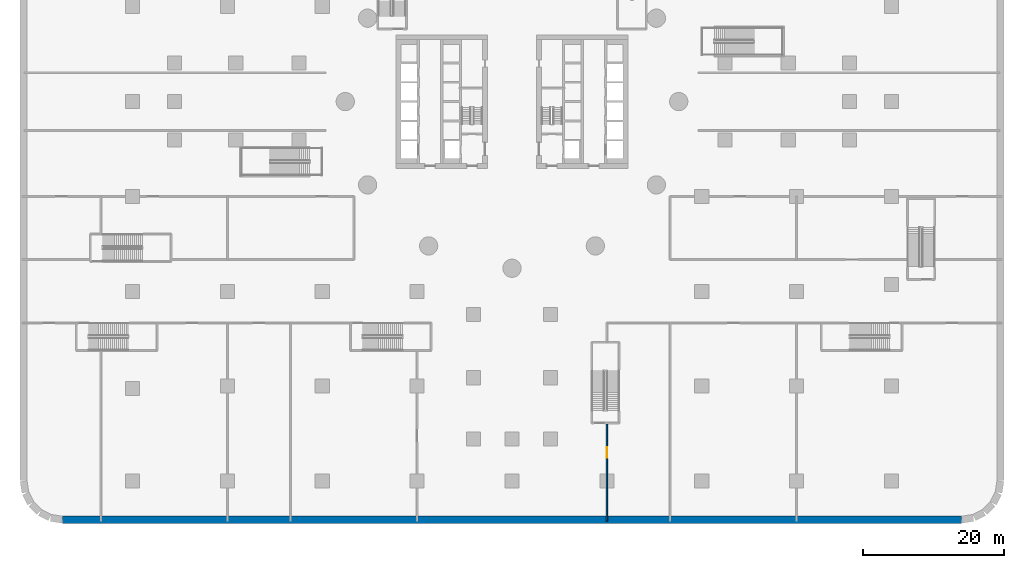
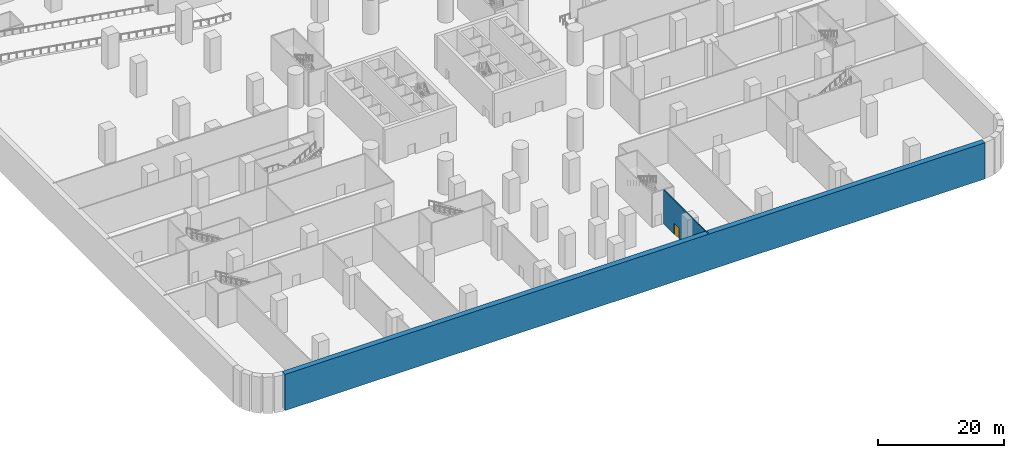
# One storey, part 5 of 30: 2 walls, 1 door, 1 opening.
"""IFC4 building model written with IfcOpenShell, lengths in metres."""

from ifc_helpers import new_model, si_unit, direction, frame, frame_2d, origin, place, context, subcontext, project, spatial, rectangle, extrude, material, layer, layer_set, type_object, element, fill, save


model = new_model("IFC4")

# Units and contexts
model_context = context("Model", 3, precision=1e-05, world=origin(), true_north=direction((0.0, 1.0)))
body_context = subcontext(model_context, "Body", "Model", "MODEL_VIEW")
ifc_project = project(units=[si_unit("LENGTHUNIT", "METRE"), si_unit("AREAUNIT", "SQUARE_METRE"), si_unit("VOLUMEUNIT", "CUBIC_METRE"), si_unit("PLANEANGLEUNIT", "RADIAN"), si_unit("MASSUNIT", "GRAM", prefix="KILO")], contexts=[model_context])

# Site, building, storey
site_placement = place(None, origin())
site = spatial("IfcSite", under=ifc_project, at=site_placement, CompositionType="ELEMENT")
building_placement = place(site_placement, origin())
building = spatial("IfcBuilding", under=site, at=building_placement, Name="Tamarind Cross Interchange Tower", CompositionType="ELEMENT")
storey_placement = place(building_placement, frame((0.0, 0.0, -14.0)))
storey = spatial("IfcBuildingStorey", under=building, at=storey_placement, Name="B2", CompositionType="ELEMENT", Elevation=-14.0)

# Wall
ifc_material_1 = material(Name="Concrete C40", Category="concrete")
ifc_layer_1 = layer(ifc_material_1, 1.0)
ifc_layer_set_1 = layer_set([ifc_layer_1], Name="Concrete C40")
wall_type_1 = type_object("IfcWallType", Name="Basement wall 1000 Concrete C40", PredefinedType="SOLIDWALL", material=ifc_layer_set_1)
wall_1_placement = place(storey_placement, frame((63.931396484375, -59.5, -0.449951171875), z_axis=(0.0, 0.0, 1.0), x_axis=(-1.0, 0.0, 0.0)))
element("IfcWall", 1, at=wall_1_placement, inside=storey, type_object=wall_type_1, Name="Basement wall B2-1", PredefinedType="SOLIDWALL", context=body_context, shape_type="SweptSolid", body=[
    extrude(rectangle(XDim=127.86279296875, YDim=1.0, at=frame_2d((63.931396484375, 0.0))), origin(), (0.0, 0.0, 1.0), 7.0),
])

# Wall, opening, door
ifc_material_2 = material(Name="Masonry partition, fire-rated", Category="masonry")
ifc_layer_2 = layer(ifc_material_2, 0.199951171875)
ifc_layer_set_2 = layer_set([ifc_layer_2], Name="Masonry partition, fire-rated")
wall_type_2 = type_object("IfcWallType", Name="Fire partition 200 EI 120", PredefinedType="PARTITIONING", material=ifc_layer_set_2)
wall_2_placement = place(storey_placement, frame((13.5, -59.698974609375, 0.0), z_axis=(0.0, 0.0, 1.0), x_axis=(0.0, 1.0, 0.0)))
wall_2 = element("IfcWall", 2, at=wall_2_placement, inside=storey, type_object=wall_type_2, Name="B2 partition 65", PredefinedType="PARTITIONING", context=body_context, shape_type="SweptSolid", body=[
    extrude(rectangle(XDim=13.9189453125, YDim=0.199951171875, at=frame_2d((6.95947265625, 0.0))), origin(), (0.0, 0.0, 1.0), 6.550048828125),
])
opening_placement = place(wall_2_placement, frame((9.02197265625, 0.0, 0.0)))
opening = element("IfcOpeningElement", 3, at=opening_placement, cuts=wall_2, Name="Opening DB2-24", PredefinedType="OPENING", context=body_context, shape_type="SweptSolid", body=[
    extrude(rectangle(XDim=1.5, YDim=2.10009765625, at=frame_2d((0.75, 1.050048828125))), frame((0.0, 0.10986328125, 0.0), z_axis=(0.0, -1.0, 0.0), x_axis=(1.0, 0.0, 0.0)), (0.0, 0.0, 1.0), 0.219970703125),
])
ifc_material_3 = material(Name="Steel, fire-resisting", Category="steel")
door_type = type_object("IfcDoorType", Name="Podium door 1500 x 2100 FD90", OperationType="SINGLE_SWING_LEFT", PredefinedType="DOOR", material=ifc_material_3)
door_placement = place(opening_placement, origin())
door = element("IfcDoor", 4, at=door_placement, inside=storey, type_object=door_type, Name="B2 door Chiller Plant Room B211", OperationType="SINGLE_SWING_RIGHT", OverallHeight=2.10009765625, OverallWidth=1.5, PredefinedType="DOOR", context=body_context, shape_type="SweptSolid", body=[
    extrude(rectangle(XDim=1.5, YDim=2.10009765625, at=frame_2d((0.75, 1.050048828125))), frame((0.0, 0.02490234375, 0.0), z_axis=(0.0, -1.0, 0.0), x_axis=(1.0, 0.0, 0.0)), (0.0, 0.0, 1.0), 0.050048828125),
])
fill(opening, door)

save(model, "model.ifc")
